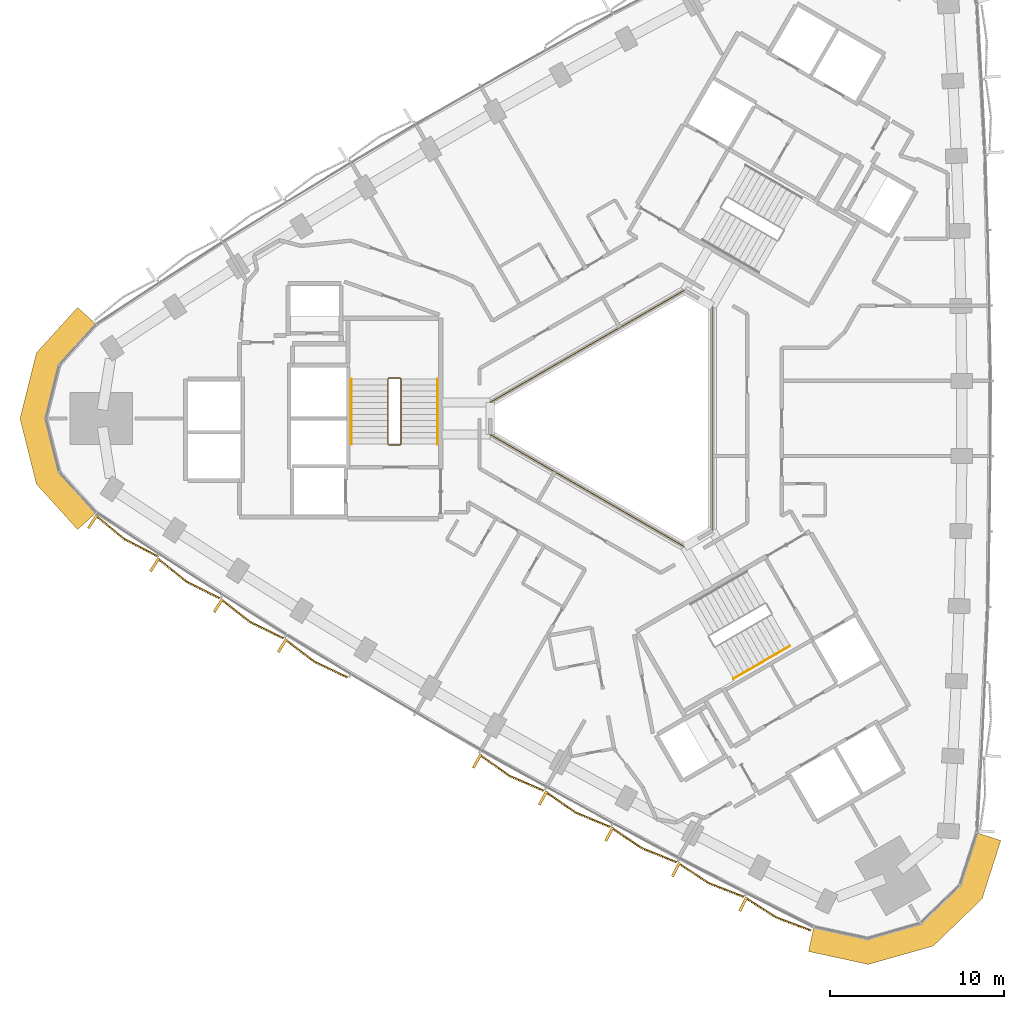
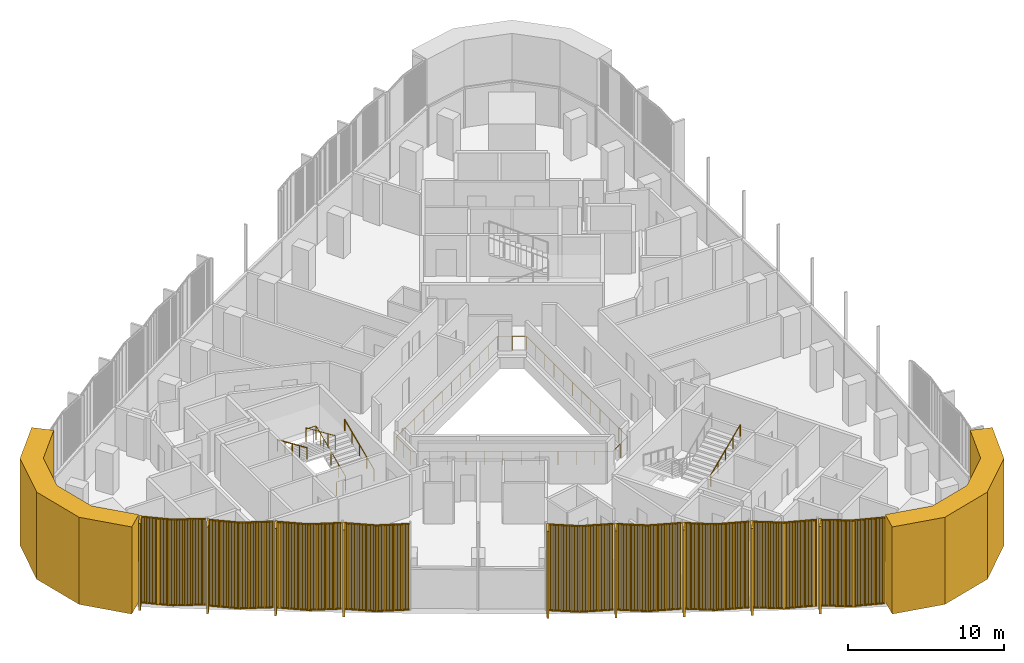
# One storey, part 13 of 15: 11 coverings, 5 railings.
"""IFC4 building model written with IfcOpenShell, lengths in metres."""

from ifc_helpers import new_model, si_unit, direction, frame, frame_2d, origin, origin_2d, place, context, subcontext, project, spatial, polyline, rectangle, circle, outline, extrude, source, transform, mapped, material, layer, layer_set, type_object, element, save


model = new_model("IFC4")

# Units and contexts
model_context = context("Model", 3, precision=1e-05, world=origin(), true_north=direction((0.0, 1.0)))
body_context = subcontext(model_context, "Body", "Model", "MODEL_VIEW")
ifc_project = project(units=[si_unit("LENGTHUNIT", "METRE"), si_unit("AREAUNIT", "SQUARE_METRE"), si_unit("VOLUMEUNIT", "CUBIC_METRE"), si_unit("PLANEANGLEUNIT", "RADIAN"), si_unit("MASSUNIT", "GRAM", prefix="KILO")], contexts=[model_context])

# Site, building, storey
site_placement = place(None, origin())
site = spatial("IfcSite", under=ifc_project, at=site_placement, CompositionType="ELEMENT")
building_placement = place(site_placement, origin())
building = spatial("IfcBuilding", under=site, at=building_placement, Name="Tamra Quay Hotel Tower", CompositionType="ELEMENT")
storey_placement = place(building_placement, frame((0.0, 0.0, 128.800048828125)))
storey = spatial("IfcBuildingStorey", under=building, at=storey_placement, Name="L31", CompositionType="ELEMENT", Elevation=128.800048828125)

# Coverings
ifc_material_1 = material(Name="Precast concrete M60 terracotta-coloured", Category="masonry")
ifc_layer = layer(ifc_material_1, 1.449951171875)
ifc_layer_set = layer_set([ifc_layer], Name="CORNER PIER PANEL")
covering_type_1 = type_object("IfcCoveringType", Name="CORNER PIER PANEL", PredefinedType="CLADDING", material=ifc_layer_set)
covering_1_placement = place(storey_placement, origin())
element("IfcCovering", 1, at=covering_1_placement, inside=storey, type_object=covering_type_1, Name="Corner pier L31.north-west", PredefinedType="CLADDING", context=body_context, shape_type="SweptSolid", body=[
    extrude(outline(polyline([(-30.688720703125, 5.42431640625), (-31.76318359375, 6.398193359375), (-34.13623046875, 3.780029296875), (-35.0830078125, 0.0), (-34.13623046875, -3.780029296875), (-31.76318359375, -6.398193359375), (-30.688720703125, -5.42431640625), (-32.81787109375, -3.0751953125), (-33.588134765625, 0.0), (-32.81787109375, 3.0751953125), (-30.688720703125, 5.42431640625)])), origin(), (0.0, 0.0, 1.0), 6.800048828125),
])
covering_2_placement = place(storey_placement, origin())
element("IfcCovering", 2, at=covering_2_placement, inside=storey, type_object=covering_type_1, Name="Corner pier L31.south-west", PredefinedType="CLADDING", context=body_context, shape_type="SweptSolid", body=[
    extrude(outline(polyline([(10.646728515625, -29.28955078125), (10.340576171875, -30.706787109375), (13.79443359375, -31.452880859375), (17.54150390625, -30.3828125), (20.341552734375, -27.6728515625), (21.422607421875, -24.30859375), (20.0419921875, -23.864990234375), (19.072265625, -26.883544921875), (16.794189453125, -29.088134765625), (13.74560546875, -29.958740234375), (10.646728515625, -29.28955078125)])), origin(), (0.0, 0.0, 1.0), 6.800048828125),
])

# Railings
ifc_material_2 = material(Name="Guard atrium edge 1100")
railing_type_1 = type_object("IfcRailingType", Name="Guard atrium edge 1100", PredefinedType="GUARDRAIL", material=ifc_material_2)
railing_1_placement = place(storey_placement, frame((4.800048828125, -6.466064453125, 0.0)))
element("IfcRailing", 3, at=railing_1_placement, inside=storey, type_object=railing_type_1, Name="G-A", PredefinedType="GUARDRAIL", context=body_context, shape_type="SweptSolid", body=[
    extrude(circle(Radius=0.02392578125, at=origin_2d()), frame((0.0, 0.0, 1.076171875), z_axis=(-0.86602275259, -0.500004591975, 0.0), x_axis=(0.500004591975, -0.86602275259, 0.0)), (0.0, 0.0, 1.0), 1.84765625),
    extrude(circle(Radius=0.02392578125, at=origin_2d()), frame((-1.60009765625, -0.923828125, 1.076171875), z_axis=(-0.86604129137, 0.499972480886, 0.0), x_axis=(-0.499972480886, -0.86604129137, 0.0)), (0.0, 0.0, 1.0), 12.932373046875),
    extrude(circle(Radius=0.02392578125, at=origin_2d()), frame((-12.800048828125, 5.5419921875, 1.076171875), z_axis=(0.0, 1.0, 0.0), x_axis=(-1.0, 0.0, 0.0)), (0.0, 0.0, 1.0), 1.84814453125),
    extrude(circle(Radius=0.02392578125, at=origin_2d()), frame((-12.800048828125, 7.39013671875, 1.076171875), z_axis=(0.86604129137, 0.499972480886, 0.0), x_axis=(-0.499972480886, 0.86604129137, 0.0)), (0.0, 0.0, 1.0), 12.932373046875),
    extrude(circle(Radius=0.02392578125, at=origin_2d()), frame((-1.60009765625, 13.85595703125, 1.076171875), z_axis=(0.86602275259, -0.500004591975, 0.0), x_axis=(0.500004591975, 0.86602275259, 0.0)), (0.0, 0.0, 1.0), 1.84765625),
    extrude(circle(Radius=0.02392578125, at=origin_2d()), frame((0.0, 12.93212890625, 1.076171875), z_axis=(0.0, -1.0, 0.0), x_axis=(1.0, 0.0, 0.0)), (0.0, 0.0, 1.0), 12.93212890625),
    extrude(circle(Radius=0.02099609375, at=origin_2d()), origin(), (0.0, 0.0, 1.0), 1.052001953125),
    extrude(circle(Radius=0.02099609375, at=origin_2d()), frame((-0.800048828125, -0.4619140625, 0.0)), (0.0, 0.0, 1.0), 1.052001953125),
    extrude(circle(Radius=0.02099609375, at=origin_2d()), frame((-1.60009765625, -0.923828125, 0.0)), (0.0, 0.0, 1.0), 1.052001953125),
    extrude(circle(Radius=0.02099609375, at=origin_2d()), frame((-2.6181640625, -0.3359375, 0.0)), (0.0, 0.0, 1.0), 1.052001953125),
    extrude(circle(Radius=0.02099609375, at=origin_2d()), frame((-3.636474609375, 0.251708984375, 0.0)), (0.0, 0.0, 1.0), 1.052001953125),
    extrude(circle(Radius=0.02099609375, at=origin_2d()), frame((-4.654541015625, 0.839599609375, 0.0)), (0.0, 0.0, 1.0), 1.052001953125),
    extrude(circle(Radius=0.02099609375, at=origin_2d()), frame((-5.6728515625, 1.427490234375, 0.0)), (0.0, 0.0, 1.0), 1.052001953125),
    extrude(circle(Radius=0.02099609375, at=origin_2d()), frame((-6.69091796875, 2.01513671875, 0.0)), (0.0, 0.0, 1.0), 1.052001953125),
    extrude(circle(Radius=0.02099609375, at=origin_2d()), frame((-7.709228515625, 2.60302734375, 0.0)), (0.0, 0.0, 1.0), 1.052001953125),
    extrude(circle(Radius=0.02099609375, at=origin_2d()), frame((-8.727294921875, 3.190673828125, 0.0)), (0.0, 0.0, 1.0), 1.052001953125),
    extrude(circle(Radius=0.02099609375, at=origin_2d()), frame((-9.74560546875, 3.778564453125, 0.0)), (0.0, 0.0, 1.0), 1.052001953125),
    extrude(circle(Radius=0.02099609375, at=origin_2d()), frame((-10.763671875, 4.366455078125, 0.0)), (0.0, 0.0, 1.0), 1.052001953125),
    extrude(circle(Radius=0.02099609375, at=origin_2d()), frame((-11.781982421875, 4.9541015625, 0.0)), (0.0, 0.0, 1.0), 1.052001953125),
    extrude(circle(Radius=0.02099609375, at=origin_2d()), frame((-12.800048828125, 5.5419921875, 0.0)), (0.0, 0.0, 1.0), 1.052001953125),
    extrude(circle(Radius=0.02099609375, at=origin_2d()), frame((-12.800048828125, 6.466064453125, 0.0)), (0.0, 0.0, 1.0), 1.052001953125),
    extrude(circle(Radius=0.02099609375, at=origin_2d()), frame((-12.800048828125, 7.39013671875, 0.0)), (0.0, 0.0, 1.0), 1.052001953125),
    extrude(circle(Radius=0.02099609375, at=origin_2d()), frame((-11.781982421875, 7.97802734375, 0.0)), (0.0, 0.0, 1.0), 1.052001953125),
    extrude(circle(Radius=0.02099609375, at=origin_2d()), frame((-10.763671875, 8.565673828125, 0.0)), (0.0, 0.0, 1.0), 1.052001953125),
    extrude(circle(Radius=0.02099609375, at=origin_2d()), frame((-9.74560546875, 9.153564453125, 0.0)), (0.0, 0.0, 1.0), 1.052001953125),
    extrude(circle(Radius=0.02099609375, at=origin_2d()), frame((-8.727294921875, 9.741455078125, 0.0)), (0.0, 0.0, 1.0), 1.052001953125),
    extrude(circle(Radius=0.02099609375, at=origin_2d()), frame((-7.709228515625, 10.3291015625, 0.0)), (0.0, 0.0, 1.0), 1.052001953125),
    extrude(circle(Radius=0.02099609375, at=origin_2d()), frame((-6.69091796875, 10.9169921875, 0.0)), (0.0, 0.0, 1.0), 1.052001953125),
    extrude(circle(Radius=0.02099609375, at=origin_2d()), frame((-5.6728515625, 11.504638671875, 0.0)), (0.0, 0.0, 1.0), 1.052001953125),
    extrude(circle(Radius=0.02099609375, at=origin_2d()), frame((-4.654541015625, 12.092529296875, 0.0)), (0.0, 0.0, 1.0), 1.052001953125),
    extrude(circle(Radius=0.02099609375, at=origin_2d()), frame((-3.636474609375, 12.680419921875, 0.0)), (0.0, 0.0, 1.0), 1.052001953125),
    extrude(circle(Radius=0.02099609375, at=origin_2d()), frame((-2.6181640625, 13.26806640625, 0.0)), (0.0, 0.0, 1.0), 1.052001953125),
    extrude(circle(Radius=0.02099609375, at=origin_2d()), frame((-1.60009765625, 13.85595703125, 0.0)), (0.0, 0.0, 1.0), 1.052001953125),
    extrude(circle(Radius=0.02099609375, at=origin_2d()), frame((-0.800048828125, 13.39404296875, 0.0)), (0.0, 0.0, 1.0), 1.052001953125),
    extrude(circle(Radius=0.02099609375, at=origin_2d()), frame((0.0, 12.93212890625, 0.0)), (0.0, 0.0, 1.0), 1.052001953125),
    extrude(circle(Radius=0.02099609375, at=origin_2d()), frame((0.0, 11.756591796875, 0.0)), (0.0, 0.0, 1.0), 1.052001953125),
    extrude(circle(Radius=0.02099609375, at=origin_2d()), frame((0.0, 10.580810546875, 0.0)), (0.0, 0.0, 1.0), 1.052001953125),
    extrude(circle(Radius=0.02099609375, at=origin_2d()), frame((0.0, 9.4052734375, 0.0)), (0.0, 0.0, 1.0), 1.052001953125),
    extrude(circle(Radius=0.02099609375, at=origin_2d()), frame((0.0, 8.2294921875, 0.0)), (0.0, 0.0, 1.0), 1.052001953125),
    extrude(circle(Radius=0.02099609375, at=origin_2d()), frame((0.0, 7.053955078125, 0.0)), (0.0, 0.0, 1.0), 1.052001953125),
    extrude(circle(Radius=0.02099609375, at=origin_2d()), frame((0.0, 5.878173828125, 0.0)), (0.0, 0.0, 1.0), 1.052001953125),
    extrude(circle(Radius=0.02099609375, at=origin_2d()), frame((0.0, 4.70263671875, 0.0)), (0.0, 0.0, 1.0), 1.052001953125),
    extrude(circle(Radius=0.02099609375, at=origin_2d()), frame((0.0, 3.52685546875, 0.0)), (0.0, 0.0, 1.0), 1.052001953125),
    extrude(circle(Radius=0.02099609375, at=origin_2d()), frame((0.0, 2.351318359375, 0.0)), (0.0, 0.0, 1.0), 1.052001953125),
    extrude(circle(Radius=0.02099609375, at=origin_2d()), frame((0.0, 1.175537109375, 0.0)), (0.0, 0.0, 1.0), 1.052001953125),
])
ifc_material_3 = material(Name="Stair guard 1100")
railing_type_2 = type_object("IfcRailingType", Name="Stair guard 1100", PredefinedType="GUARDRAIL", material=ifc_material_3)
railing_2_placement = place(storey_placement, frame((-13.84130859375, -1.530029296875, 0.0)))
element("IfcRailing", 4, at=railing_2_placement, inside=storey, type_object=railing_type_2, Name="GR", PredefinedType="GUARDRAIL", context=body_context, shape_type="SweptSolid", body=[
    extrude(circle(Radius=0.02392578125, at=origin_2d()), frame((0.0, 0.0, 1.076171875), z_axis=(1.0, 0.0, 0.0), x_axis=(0.0, 1.0, 0.0)), (0.0, 0.0, 1.0), 0.658935546875),
    extrude(circle(Radius=0.02392578125, at=origin_2d()), frame((0.658935546875, 0.0, 1.076171875), z_axis=(0.301912943143, 0.301912943143, 0.904266083366), x_axis=(-0.707106781187, 0.707106781187, 0.0)), (0.0, 0.0, 1.0), 0.165771484375),
    extrude(circle(Radius=0.02392578125, at=origin_2d()), frame((0.708984375, 0.050048828125, 1.22607421875), z_axis=(0.0, 0.915773634228, 0.401694723457), x_axis=(-1.0, 0.0, 0.0)), (0.0, 0.0, 1.0), 4.10791015625),
    extrude(circle(Radius=0.02392578125, at=origin_2d()), frame((0.708984375, 3.81201171875, 2.8759765625), z_axis=(-0.708833529934, 0.705375805398, 0.0), x_axis=(-0.705375805398, -0.708833529934, 0.0)), (0.0, 0.0, 1.0), 0.070556640625),
    extrude(circle(Radius=0.02392578125, at=origin_2d()), frame((0.658935546875, 3.86181640625, 2.8759765625), z_axis=(-1.0, 0.0, 0.0), x_axis=(0.0, -1.0, 0.0)), (0.0, 0.0, 1.0), 0.658935546875),
    extrude(circle(Radius=0.02392578125, at=origin_2d()), frame((0.0, 3.86181640625, 2.8759765625), z_axis=(-0.302046947789, -0.300573548044, 0.904667443621), x_axis=(0.705375805398, -0.708833529934, 0.0)), (0.0, 0.0, 1.0), 0.165771484375),
    extrude(circle(Radius=0.02392578125, at=origin_2d()), frame((-0.050048828125, 3.81201171875, 3.02587890625), z_axis=(0.0, -0.915795495799, 0.401644880304), x_axis=(1.0, 0.0, 0.0)), (0.0, 0.0, 1.0), 4.10791015625),
    extrude(circle(Radius=0.02099609375, at=origin_2d()), origin(), (0.0, 0.0, 1.0), 1.052001953125),
    extrude(circle(Radius=0.02099609375, at=origin_2d()), frame((0.658935546875, 0.0, 0.0)), (0.0, 0.0, 1.0), 1.052001953125),
    extrude(circle(Radius=0.02099609375, at=origin_2d()), frame((0.708984375, 0.050048828125, 0.14990234375)), (0.0, 0.0, 1.0), 1.052001953125),
    extrude(circle(Radius=0.02099609375, at=origin_2d()), frame((0.708984375, 0.990478515625, 0.5625)), (0.0, 0.0, 1.0), 1.052001953125),
    extrude(circle(Radius=0.02099609375, at=origin_2d()), frame((0.708984375, 1.93115234375, 0.97509765625)), (0.0, 0.0, 1.0), 1.052001953125),
    extrude(circle(Radius=0.02099609375, at=origin_2d()), frame((0.708984375, 2.87158203125, 1.387451171875)), (0.0, 0.0, 1.0), 1.052001953125),
    extrude(circle(Radius=0.02099609375, at=origin_2d()), frame((0.708984375, 3.81201171875, 1.800048828125)), (0.0, 0.0, 1.0), 1.052001953125),
    extrude(circle(Radius=0.02099609375, at=origin_2d()), frame((0.658935546875, 3.86181640625, 1.800048828125)), (0.0, 0.0, 1.0), 1.052001953125),
    extrude(circle(Radius=0.02099609375, at=origin_2d()), frame((0.0, 3.86181640625, 1.800048828125)), (0.0, 0.0, 1.0), 1.052001953125),
    extrude(circle(Radius=0.02099609375, at=origin_2d()), frame((-0.050048828125, 3.81201171875, 1.949951171875)), (0.0, 0.0, 1.0), 1.052001953125),
    extrude(circle(Radius=0.02099609375, at=origin_2d()), frame((-0.050048828125, 2.87158203125, 2.3623046875)), (0.0, 0.0, 1.0), 1.052001953125),
    extrude(circle(Radius=0.02099609375, at=origin_2d()), frame((-0.050048828125, 1.93115234375, 2.77490234375)), (0.0, 0.0, 1.0), 1.052001953125),
    extrude(circle(Radius=0.02099609375, at=origin_2d()), frame((-0.050048828125, 0.990478515625, 3.1875)), (0.0, 0.0, 1.0), 1.052001953125),
    extrude(circle(Radius=0.02099609375, at=origin_2d()), frame((-0.050048828125, 0.050048828125, 3.599853515625)), (0.0, 0.0, 1.0), 1.052001953125),
])
ifc_material_4 = material(Name="Stair handrail 900")
railing_type_3 = type_object("IfcRailingType", Name="Stair handrail 900", PredefinedType="HANDRAIL", material=ifc_material_4)
railing_3_placement = place(storey_placement, frame((-11.0322265625, -1.47998046875, 0.14990234375)))
element("IfcRailing", 5, at=railing_3_placement, inside=storey, type_object=railing_type_3, Name="HR", PredefinedType="HANDRAIL", context=body_context, shape_type="SweptSolid", body=[
    extrude(circle(Radius=0.02392578125, at=origin_2d()), frame((0.0, 0.0, 0.8759765625), z_axis=(0.0, 0.915773634228, 0.401694723457), x_axis=(-1.0, 0.0, 0.0)), (0.0, 0.0, 1.0), 4.10791015625),
    extrude(circle(Radius=0.02099609375, at=origin_2d()), origin(), (0.0, 0.0, 1.0), 0.851806640625),
    extrude(circle(Radius=0.02099609375, at=origin_2d()), frame((0.0, 0.9404296875, 0.41259765625)), (0.0, 0.0, 1.0), 0.851806640625),
    extrude(circle(Radius=0.02099609375, at=origin_2d()), frame((0.0, 1.880859375, 0.8251953125)), (0.0, 0.0, 1.0), 0.851806640625),
    extrude(circle(Radius=0.02099609375, at=origin_2d()), frame((0.0, 2.821533203125, 1.237548828125)), (0.0, 0.0, 1.0), 0.851806640625),
    extrude(circle(Radius=0.02099609375, at=origin_2d()), frame((0.0, 3.761962890625, 1.650146484375)), (0.0, 0.0, 1.0), 0.851806640625),
])
railing_4_placement = place(storey_placement, frame((-15.9912109375, 2.281982421875, 1.949951171875)))
element("IfcRailing", 6, at=railing_4_placement, inside=storey, type_object=railing_type_3, Name="HR", PredefinedType="HANDRAIL", context=body_context, shape_type="SweptSolid", body=[
    extrude(circle(Radius=0.02392578125, at=origin_2d()), frame((0.0, 0.0, 0.8759765625), z_axis=(0.0, -0.915795495799, 0.401644880304), x_axis=(1.0, 0.0, 0.0)), (0.0, 0.0, 1.0), 4.10791015625),
    extrude(circle(Radius=0.02099609375, at=origin_2d()), origin(), (0.0, 0.0, 1.0), 0.851806640625),
    extrude(circle(Radius=0.02099609375, at=origin_2d()), frame((0.0, -0.9404296875, 0.41259765625)), (0.0, 0.0, 1.0), 0.851806640625),
    extrude(circle(Radius=0.02099609375, at=origin_2d()), frame((0.0, -1.880859375, 0.824951171875)), (0.0, 0.0, 1.0), 0.851806640625),
    extrude(circle(Radius=0.02099609375, at=origin_2d()), frame((0.0, -2.821533203125, 1.2373046875)), (0.0, 0.0, 1.0), 0.851806640625),
    extrude(circle(Radius=0.02099609375, at=origin_2d()), frame((0.0, -3.761962890625, 1.64990234375)), (0.0, 0.0, 1.0), 0.851806640625),
])
railing_5_placement = place(storey_placement, frame((6.01953125, -14.98974609375, 1.949951171875)))
element("IfcRailing", 7, at=railing_5_placement, inside=storey, type_object=railing_type_3, Name="HR", PredefinedType="HANDRAIL", context=body_context, shape_type="SweptSolid", body=[
    extrude(circle(Radius=0.02392578125, at=origin_2d()), frame((0.0, 0.0, 0.8759765625), z_axis=(0.79310004713, 0.457886897714, 0.401661429744), x_axis=(-0.499992114976, 0.866029956157, 0.0)), (0.0, 0.0, 1.0), 4.107666015625),
    extrude(circle(Radius=0.02099609375, at=origin_2d()), origin(), (0.0, 0.0, 1.0), 0.851806640625),
    extrude(circle(Radius=0.02099609375, at=origin_2d()), frame((0.814453125, 0.47021484375, 0.41259765625)), (0.0, 0.0, 1.0), 0.851806640625),
    extrude(circle(Radius=0.02099609375, at=origin_2d()), frame((1.62890625, 0.9404296875, 0.824951171875)), (0.0, 0.0, 1.0), 0.851806640625),
    extrude(circle(Radius=0.02099609375, at=origin_2d()), frame((2.443359375, 1.41064453125, 1.2373046875)), (0.0, 0.0, 1.0), 0.851806640625),
    extrude(circle(Radius=0.02099609375, at=origin_2d()), frame((3.2578125, 1.880859375, 1.64990234375)), (0.0, 0.0, 1.0), 0.851806640625),
])

# Coverings
ifc_material_5 = material(Name="Terracotta baguette extruded", Category="masonry")
covering_type_2 = type_object("IfcCoveringType", Name="BAGUETTE SCREEN SW-V H6800", PredefinedType="USERDEFINED", material=ifc_material_5)
shared_shape = source(origin(), body_context, "Body", "SweptSolid", [
    extrude(rectangle(XDim=2.144287109375, YDim=0.06005859375, at=frame_2d((1.072265625, 0.030029296875))), frame((-2.138671875, -0.0576171875, -0.1201171875), z_axis=(0.0, 0.0, 1.0), x_axis=(0.994521895368, -0.104528463268, 0.0)), (0.0, 0.0, 1.0), 0.1201171875),
    extrude(rectangle(XDim=2.144287109375, YDim=0.06005859375, at=frame_2d((1.072265625, 0.030029296875))), frame((-2.138671875, -0.0576171875, -6.800048828125), z_axis=(0.0, 0.0, 1.0), x_axis=(0.994521895368, -0.104528463268, 0.0)), (0.0, 0.0, 1.0), 0.1201171875),
    extrude(rectangle(XDim=0.070068359375, YDim=0.10009765625, at=frame_2d((0.03515625, 0.050048828125))), frame((-2.11669921875, -0.13330078125, -6.739990234375)), (0.0, 0.0, 1.0), 6.679931640625),
    extrude(rectangle(XDim=0.070068359375, YDim=0.10009765625, at=frame_2d((0.03515625, 0.050048828125))), frame((-2.01513671875, -0.14404296875, -6.739990234375)), (0.0, 0.0, 1.0), 6.679931640625),
    extrude(rectangle(XDim=0.070068359375, YDim=0.10009765625, at=frame_2d((0.03515625, 0.050048828125))), frame((-1.91357421875, -0.15478515625, -6.739990234375)), (0.0, 0.0, 1.0), 6.679931640625),
    extrude(rectangle(XDim=0.070068359375, YDim=0.10009765625, at=frame_2d((0.03515625, 0.050048828125))), frame((-1.81201171875, -0.165283203125, -6.739990234375)), (0.0, 0.0, 1.0), 6.679931640625),
    extrude(rectangle(XDim=0.070068359375, YDim=0.10009765625, at=frame_2d((0.03515625, 0.050048828125))), frame((-1.71044921875, -0.176025390625, -6.739990234375)), (0.0, 0.0, 1.0), 6.679931640625),
    extrude(rectangle(XDim=0.070068359375, YDim=0.10009765625, at=frame_2d((0.03515625, 0.050048828125))), frame((-1.60888671875, -0.186767578125, -6.739990234375)), (0.0, 0.0, 1.0), 6.679931640625),
    extrude(rectangle(XDim=0.070068359375, YDim=0.10009765625, at=frame_2d((0.03515625, 0.050048828125))), frame((-1.50732421875, -0.197265625, -6.739990234375)), (0.0, 0.0, 1.0), 6.679931640625),
    extrude(rectangle(XDim=0.070068359375, YDim=0.10009765625, at=frame_2d((0.03515625, 0.050048828125))), frame((-1.406005859375, -0.2080078125, -6.739990234375)), (0.0, 0.0, 1.0), 6.679931640625),
    extrude(rectangle(XDim=0.070068359375, YDim=0.10009765625, at=frame_2d((0.03515625, 0.050048828125))), frame((-1.304443359375, -0.21875, -6.739990234375)), (0.0, 0.0, 1.0), 6.679931640625),
    extrude(rectangle(XDim=0.070068359375, YDim=0.10009765625, at=frame_2d((0.03515625, 0.050048828125))), frame((-1.202880859375, -0.2294921875, -6.739990234375)), (0.0, 0.0, 1.0), 6.679931640625),
    extrude(rectangle(XDim=0.070068359375, YDim=0.10009765625, at=frame_2d((0.03515625, 0.050048828125))), frame((-1.101318359375, -0.239990234375, -6.739990234375)), (0.0, 0.0, 1.0), 6.679931640625),
    extrude(rectangle(XDim=0.070068359375, YDim=0.10009765625, at=frame_2d((0.03515625, 0.050048828125))), frame((-0.999755859375, -0.250732421875, -6.739990234375)), (0.0, 0.0, 1.0), 6.679931640625),
    extrude(rectangle(XDim=0.070068359375, YDim=0.10009765625, at=frame_2d((0.03515625, 0.050048828125))), frame((-0.898193359375, -0.261474609375, -6.739990234375)), (0.0, 0.0, 1.0), 6.679931640625),
    extrude(rectangle(XDim=0.070068359375, YDim=0.10009765625, at=frame_2d((0.03515625, 0.050048828125))), frame((-0.796630859375, -0.27197265625, -6.739990234375)), (0.0, 0.0, 1.0), 6.679931640625),
    extrude(rectangle(XDim=0.070068359375, YDim=0.10009765625, at=frame_2d((0.03515625, 0.050048828125))), frame((-0.695068359375, -0.28271484375, -6.739990234375)), (0.0, 0.0, 1.0), 6.679931640625),
    extrude(rectangle(XDim=0.070068359375, YDim=0.10009765625, at=frame_2d((0.03515625, 0.050048828125))), frame((-0.593505859375, -0.29345703125, -6.739990234375)), (0.0, 0.0, 1.0), 6.679931640625),
    extrude(rectangle(XDim=0.070068359375, YDim=0.10009765625, at=frame_2d((0.03515625, 0.050048828125))), frame((-0.491943359375, -0.30419921875, -6.739990234375)), (0.0, 0.0, 1.0), 6.679931640625),
    extrude(rectangle(XDim=0.070068359375, YDim=0.10009765625, at=frame_2d((0.03515625, 0.050048828125))), frame((-0.390380859375, -0.314697265625, -6.739990234375)), (0.0, 0.0, 1.0), 6.679931640625),
    extrude(rectangle(XDim=0.070068359375, YDim=0.10009765625, at=frame_2d((0.03515625, 0.050048828125))), frame((-0.288818359375, -0.325439453125, -6.739990234375)), (0.0, 0.0, 1.0), 6.679931640625),
    extrude(rectangle(XDim=0.070068359375, YDim=0.10009765625, at=frame_2d((0.03515625, 0.050048828125))), frame((-0.187255859375, -0.336181640625, -6.739990234375)), (0.0, 0.0, 1.0), 6.679931640625),
    extrude(rectangle(XDim=0.070068359375, YDim=0.10009765625, at=frame_2d((0.03515625, 0.050048828125))), frame((-0.085693359375, -0.3466796875, -6.739990234375)), (0.0, 0.0, 1.0), 6.679931640625),
    extrude(rectangle(XDim=2.144287109375, YDim=0.06005859375, at=frame_2d((1.072265625, 0.030029296875))), frame((0.00634765625, -0.28173828125, -0.1201171875), z_axis=(0.0, 0.0, 1.0), x_axis=(0.994521895368, 0.104528463268, 0.0)), (0.0, 0.0, 1.0), 0.1201171875),
    extrude(rectangle(XDim=2.144287109375, YDim=0.06005859375, at=frame_2d((1.072265625, 0.030029296875))), frame((0.00634765625, -0.28173828125, -6.800048828125), z_axis=(0.0, 0.0, 1.0), x_axis=(0.994521895368, 0.104528463268, 0.0)), (0.0, 0.0, 1.0), 0.1201171875),
    extrude(rectangle(XDim=0.070068359375, YDim=0.10009765625, at=frame_2d((0.03515625, 0.050048828125))), frame((0.015869140625, -0.3466796875, -6.739990234375)), (0.0, 0.0, 1.0), 6.679931640625),
    extrude(rectangle(XDim=0.070068359375, YDim=0.10009765625, at=frame_2d((0.03515625, 0.050048828125))), frame((0.117431640625, -0.336181640625, -6.739990234375)), (0.0, 0.0, 1.0), 6.679931640625),
    extrude(rectangle(XDim=0.070068359375, YDim=0.10009765625, at=frame_2d((0.03515625, 0.050048828125))), frame((0.21875, -0.325439453125, -6.739990234375)), (0.0, 0.0, 1.0), 6.679931640625),
    extrude(rectangle(XDim=0.070068359375, YDim=0.10009765625, at=frame_2d((0.03515625, 0.050048828125))), frame((0.3203125, -0.314697265625, -6.739990234375)), (0.0, 0.0, 1.0), 6.679931640625),
    extrude(rectangle(XDim=0.070068359375, YDim=0.10009765625, at=frame_2d((0.03515625, 0.050048828125))), frame((0.421875, -0.30419921875, -6.739990234375)), (0.0, 0.0, 1.0), 6.679931640625),
    extrude(rectangle(XDim=0.070068359375, YDim=0.10009765625, at=frame_2d((0.03515625, 0.050048828125))), frame((0.5234375, -0.29345703125, -6.739990234375)), (0.0, 0.0, 1.0), 6.679931640625),
    extrude(rectangle(XDim=0.070068359375, YDim=0.10009765625, at=frame_2d((0.03515625, 0.050048828125))), frame((0.625, -0.28271484375, -6.739990234375)), (0.0, 0.0, 1.0), 6.679931640625),
    extrude(rectangle(XDim=0.070068359375, YDim=0.10009765625, at=frame_2d((0.03515625, 0.050048828125))), frame((0.7265625, -0.27197265625, -6.739990234375)), (0.0, 0.0, 1.0), 6.679931640625),
    extrude(rectangle(XDim=0.070068359375, YDim=0.10009765625, at=frame_2d((0.03515625, 0.050048828125))), frame((0.828125, -0.261474609375, -6.739990234375)), (0.0, 0.0, 1.0), 6.679931640625),
    extrude(rectangle(XDim=0.070068359375, YDim=0.10009765625, at=frame_2d((0.03515625, 0.050048828125))), frame((0.9296875, -0.250732421875, -6.739990234375)), (0.0, 0.0, 1.0), 6.679931640625),
    extrude(rectangle(XDim=0.070068359375, YDim=0.10009765625, at=frame_2d((0.03515625, 0.050048828125))), frame((1.03125, -0.239990234375, -6.739990234375)), (0.0, 0.0, 1.0), 6.679931640625),
    extrude(rectangle(XDim=0.070068359375, YDim=0.10009765625, at=frame_2d((0.03515625, 0.050048828125))), frame((1.1328125, -0.2294921875, -6.739990234375)), (0.0, 0.0, 1.0), 6.679931640625),
    extrude(rectangle(XDim=0.070068359375, YDim=0.10009765625, at=frame_2d((0.03515625, 0.050048828125))), frame((1.234375, -0.21875, -6.739990234375)), (0.0, 0.0, 1.0), 6.679931640625),
    extrude(rectangle(XDim=0.070068359375, YDim=0.10009765625, at=frame_2d((0.03515625, 0.050048828125))), frame((1.3359375, -0.2080078125, -6.739990234375)), (0.0, 0.0, 1.0), 6.679931640625),
    extrude(rectangle(XDim=0.070068359375, YDim=0.10009765625, at=frame_2d((0.03515625, 0.050048828125))), frame((1.4375, -0.197265625, -6.739990234375)), (0.0, 0.0, 1.0), 6.679931640625),
    extrude(rectangle(XDim=0.070068359375, YDim=0.10009765625, at=frame_2d((0.03515625, 0.050048828125))), frame((1.5390625, -0.186767578125, -6.739990234375)), (0.0, 0.0, 1.0), 6.679931640625),
    extrude(rectangle(XDim=0.070068359375, YDim=0.10009765625, at=frame_2d((0.03515625, 0.050048828125))), frame((1.640625, -0.176025390625, -6.739990234375)), (0.0, 0.0, 1.0), 6.679931640625),
    extrude(rectangle(XDim=0.070068359375, YDim=0.10009765625, at=frame_2d((0.03515625, 0.050048828125))), frame((1.7421875, -0.165283203125, -6.739990234375)), (0.0, 0.0, 1.0), 6.679931640625),
    extrude(rectangle(XDim=0.070068359375, YDim=0.10009765625, at=frame_2d((0.03515625, 0.050048828125))), frame((1.84375, -0.15478515625, -6.739990234375)), (0.0, 0.0, 1.0), 6.679931640625),
    extrude(rectangle(XDim=0.070068359375, YDim=0.10009765625, at=frame_2d((0.03515625, 0.050048828125))), frame((1.945068359375, -0.14404296875, -6.739990234375)), (0.0, 0.0, 1.0), 6.679931640625),
    extrude(rectangle(XDim=0.070068359375, YDim=0.10009765625, at=frame_2d((0.03515625, 0.050048828125))), frame((2.046630859375, -0.13330078125, -6.739990234375)), (0.0, 0.0, 1.0), 6.679931640625),
    extrude(rectangle(XDim=0.14990234375, YDim=0.902099609375, at=frame_2d((0.074951171875, 0.451171875))), frame((-2.132568359375, -0.89990234375, -6.800048828125)), (0.0, 0.0, 1.0), 6.800048828125),
])
for number, where, z_axis, x_axis, name in (
    (8, (-28.9306640625, -6.701904296875, 6.800048828125), (0.0, 0.0, 1.0), (0.834662779115, -0.550761332303, 0.0), "Baguette screen L31.SW.f00"),
    (9, (-25.345703125, -9.156494140625, 6.800048828125), (0.0, 0.0, 1.0), (0.841164110859, -0.540779935465, 0.0), "Baguette screen L31.SW.f01"),
    (10, (-21.67724609375, -11.48388671875, 6.800048828125), (0.0, 0.0, 1.0), (0.847546396231, -0.530721307501, 0.0), "Baguette screen L31.SW.f02"),
    (11, (-17.981201171875, -13.767822265625, 6.800048828125), (0.0, 0.0, 1.0), (0.853830014722, -0.520551924365, 0.0), "Baguette screen L31.SW.f03"),
    (12, (-6.733642578125, -20.3515625, 6.800048828125), (0.0, 0.0, 1.0), (0.871942006927, -0.489609167149, 0.0), "Baguette screen L31.SW.f06"),
    (13, (-2.932861328125, -22.4560546875, 6.800048828125), (0.0, 0.0, 1.0), (0.87772619785, -0.47916252108, 0.0), "Baguette screen L31.SW.f07"),
    (14, (0.893310546875, -24.51513671875, 6.800048828125), (0.0, 0.0, 1.0), (0.883391332741, -0.468636056272, 0.0), "Baguette screen L31.SW.f08"),
    (15, (4.7431640625, -26.528076171875, 6.800048828125), (0.0, 0.0, 1.0), (0.8889112174, -0.458079521023, 0.0), "Baguette screen L31.SW.f09"),
    (16, (8.616455078125, -28.4951171875, 6.800048828125), (0.0, 0.0, 1.0), (0.894304694754, -0.447458504155, 0.0), "Baguette screen L31.SW.f10"),
):
    element("IfcCovering", number, at=place(storey_placement, frame(where, z_axis=z_axis, x_axis=x_axis)), inside=storey, type_object=covering_type_2, Name=name, ObjectType="BAGUETTE SCREEN", PredefinedType="USERDEFINED", context=body_context, shape_type="MappedRepresentation", body=[
        mapped(shared_shape, transform((0.0, 0.0, 0.0), scale=1.0)),
    ])

save(model, "model.ifc")
